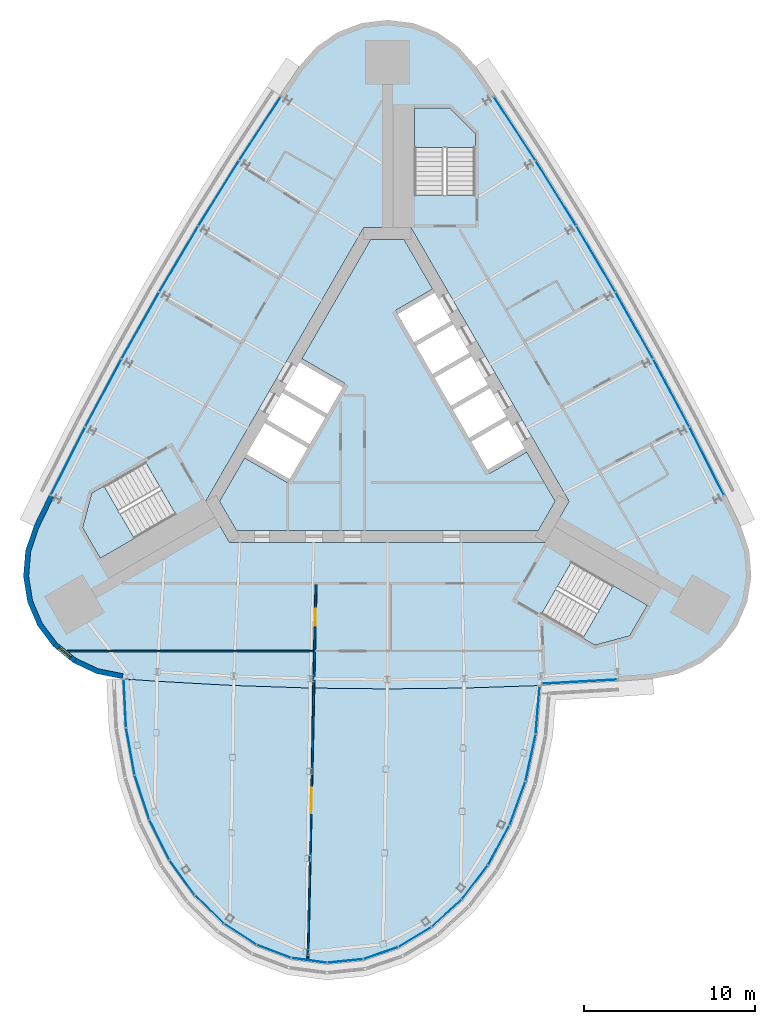
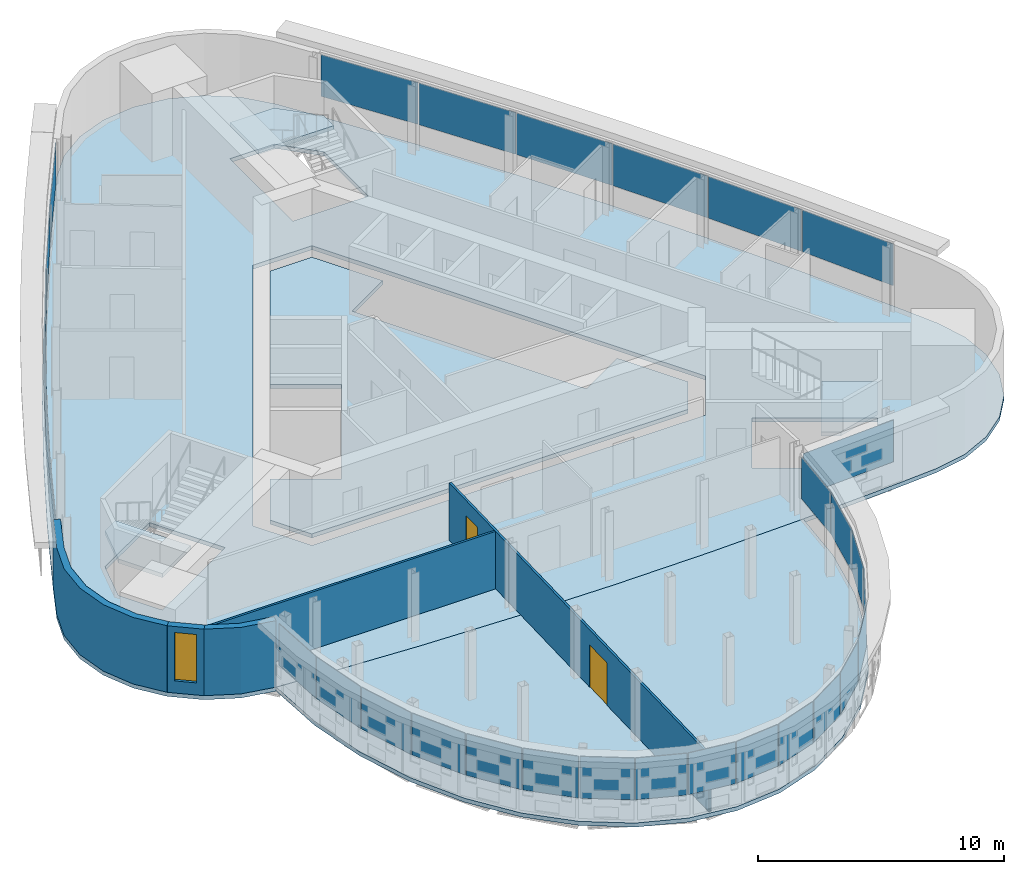
# One storey, part 8 of 14: 31 plates, 6 slabs, 5 walls, 2 doors, 1 window, 3 openings, 7 elements without a shape of their own.
"""IFC4 building model written with IfcOpenShell, lengths in metres."""

from ifc_helpers import new_model, si_unit, direction, frame, frame_2d, origin, origin_2d, place, context, subcontext, project, spatial, polyline, rectangle, outline, extrude, material, layer, layer_set, type_object, element, fill, aggregate, save


model = new_model("IFC4")

# Units and contexts
model_context = context("Model", 3, precision=1e-05, world=origin(), true_north=direction((0.0, 1.0)))
body_context = subcontext(model_context, "Body", "Model", "MODEL_VIEW")
ifc_project = project(units=[si_unit("LENGTHUNIT", "METRE"), si_unit("AREAUNIT", "SQUARE_METRE"), si_unit("VOLUMEUNIT", "CUBIC_METRE"), si_unit("PLANEANGLEUNIT", "RADIAN"), si_unit("MASSUNIT", "GRAM", prefix="KILO")], contexts=[model_context])

# Site, building, storey
site_placement = place(None, origin())
site = spatial("IfcSite", under=ifc_project, at=site_placement, CompositionType="ELEMENT")
building_placement = place(site_placement, origin())
building = spatial("IfcBuilding", under=site, at=building_placement, Name="Noor Cloister Tower", CompositionType="ELEMENT")
storey_placement = place(building_placement, frame((0.0, 0.0, 218.39990234375)))
storey = spatial("IfcBuildingStorey", under=building, at=storey_placement, Name="L56", CompositionType="ELEMENT", Elevation=218.39990234375)

# Slabs
ifc_material_1 = material(Name="Concrete C40/50", Category="concrete")
ifc_layer_1 = layer(ifc_material_1, 0.199951171875)
ifc_layer_set_1 = layer_set([ifc_layer_1], Name="Core floor slab 200 C40/50")
slab_type_1 = type_object("IfcSlabType", Name="Core floor slab 200 C40/50", PredefinedType="FLOOR", material=ifc_layer_set_1)
slab_1_placement = place(storey_placement, frame((0.0, 0.0, -0.199951171875)))
element("IfcSlab", 1, at=slab_1_placement, inside=storey, type_object=slab_type_1, Name="Core floor L56", PredefinedType="FLOOR", context=body_context, shape_type="SweptSolid", body=[
    extrude(outline(polyline([(2.643798828125, 7.877197265625), (0.9814453125, 10.75634765625), (-0.9814453125, 10.75634765625), (-4.993896484375, 3.806884765625), (-2.482421875, 2.35693359375), (-5.832275390625, -3.4453125), (-8.34375, -1.995361328125), (-9.80615234375, -4.5283203125), (-8.82470703125, -6.228271484375), (8.82470703125, -6.228271484375), (9.80615234375, -4.5283203125), (8.143798828125, -1.64892578125), (5.978759765625, -2.89892578125), (0.478759765625, 6.627197265625), (2.643798828125, 7.877197265625)])), origin(), (0.0, 0.0, 1.0), 0.199951171875),
])
ifc_material_2 = material(Name="Concrete C40/50", Category="concrete")
ifc_layer_2 = layer(ifc_material_2, 0.199951171875)
ifc_layer_set_2 = layer_set([ifc_layer_2], Name="Floor slab 200 C40/50")
slab_type_2 = type_object("IfcSlabType", Name="Floor slab 200 C40/50", PredefinedType="FLOOR", material=ifc_layer_set_2)
slab_2_placement = place(storey_placement, frame((0.0, 0.0, -0.199951171875)))
element("IfcSlab", 2, at=slab_2_placement, inside=storey, type_object=slab_type_2, Name="Floor slab L56", PredefinedType="FLOOR", context=body_context, shape_type="SweptSolid", body=[
    extrude(outline(polyline([(5.148681640625, 20.87890625), (4.1513671875, 22.012939453125), (2.91064453125, 22.874267578125), (1.499267578125, 23.412109375), (0.0, 23.5947265625), (-1.499267578125, 23.412109375), (-2.91064453125, 22.874267578125), (-4.1513671875, 22.012939453125), (-5.148681640625, 20.87890625), (-6.2822265625, 19.2041015625), (-8.744140625, 15.437255859375), (-11.122314453125, 11.6171875), (-13.415283203125, 7.745361328125), (-15.621826171875, 3.823486328125), (-17.7412109375, -0.14599609375), (-19.772216796875, -4.16162109375), (-20.65576171875, -5.98046875), (-21.139404296875, -7.411376953125), (-21.264892578125, -8.91650390625), (-21.02490234375, -10.40771484375), (-20.433837890625, -11.79736328125), (-19.52587890625, -13.00439453125), (-18.354248046875, -13.957763671875), (-16.988037109375, -14.6015625), (-15.50732421875, -14.898193359375), (-13.489990234375, -15.04248046875), (-8.9970703125, -15.291259765625), (-4.49951171875, -15.440673828125), (0.0, -15.490478515625), (4.49951171875, -15.440673828125), (8.9970703125, -15.291259765625), (13.489990234375, -15.04248046875), (15.50732421875, -14.898193359375), (16.988037109375, -14.6015625), (18.354248046875, -13.957763671875), (19.52587890625, -13.00439453125), (20.433837890625, -11.79736328125), (21.02490234375, -10.40771484375), (21.264892578125, -8.91650390625), (21.139404296875, -7.411376953125), (20.65576171875, -5.98046875), (19.772216796875, -4.16162109375), (17.7412109375, -0.14599609375), (15.621826171875, 3.823486328125), (13.415283203125, 7.745361328125), (11.122314453125, 11.6171875), (8.744140625, 15.437255859375), (6.2822265625, 19.2041015625), (5.148681640625, 20.87890625)]), holes=[polyline([(8.999755859375, -11.126220703125), (12.131591796875, -12.934326171875), (14.1572265625, -12.3916015625), (15.19091796875, -10.601318359375), (10.774658203125, -8.0517578125), (8.999755859375, -11.126220703125)]), polyline([(-17.81005859375, -6.064697265625), (-16.776611328125, -7.85498046875), (-12.3603515625, -5.305419921875), (-14.13525390625, -2.23095703125), (-16.662841796875, -3.690185546875), (-17.267333984375, -4.039306640625), (-17.81005859375, -6.064697265625)]), polyline([(-10.6142578125, -4.5283203125), (-9.228759765625, -6.92822265625), (9.228759765625, -6.92822265625), (10.6142578125, -4.5283203125), (1.3857421875, 11.456298828125), (-1.3857421875, 11.456298828125), (-10.6142578125, -4.5283203125)]), polyline([(3.65283203125, 18.456298828125), (1.585693359375, 18.456298828125), (1.585693359375, 13.35693359375), (5.135498046875, 13.35693359375), (5.135498046875, 16.9736328125), (3.65283203125, 18.456298828125)])]), origin(), (0.0, 0.0, 1.0), 0.199951171875),
])

# Curtain wall, plates
ifc_material_3 = material(Name="Aluminium 6063-T6 anodised", Category="aluminium")
curtain_wall_type_1 = type_object("IfcCurtainWallType", Name="Ribbon curtain wall, upper tower CW5", PredefinedType="NOTDEFINED", material=ifc_material_3)
curtain_wall_1_placement = place(storey_placement, origin())
curtain_wall_1 = element("IfcCurtainWall", 3, at=curtain_wall_1_placement, inside=storey, type_object=curtain_wall_type_1, Name="CW5 L56 NW run 1", PredefinedType="NOTDEFINED")
ifc_material_4 = material(Name="Clear laminated glass 2 x 8 mm", Category="glass")
ifc_layer_3 = layer(ifc_material_4, 0.028076171875)
ifc_layer_set_3 = layer_set([ifc_layer_3], Name="Glass panel CW5")
plate_type_1 = type_object("IfcPlateType", Name="Glass panel CW5", PredefinedType="CURTAIN_PANEL", material=ifc_layer_set_3)
plate_1_placement = place(storey_placement, frame((-7.438720703125, 17.251708984375, 1.08984375), z_axis=(0.0, 0.0, 1.0), x_axis=(-0.547130585813, -0.837047263939, 0.0)))
plate_1 = element("IfcPlate", 4, at=plate_1_placement, type_object=plate_type_1, Name="CW5 glass panel 1", PredefinedType="CURTAIN_PANEL", context=body_context, shape_type="SweptSolid", body=[
    extrude(rectangle(XDim=4.413818359375, YDim=0.028076171875, at=origin_2d()), origin(), (0.0, 0.0, 1.0), 2.070068359375),
])
plate_2_placement = place(storey_placement, frame((-9.848388671875, 13.474365234375, 1.08984375), z_axis=(0.0, 0.0, 1.0), x_axis=(-0.528471347381, -0.848951138168, 0.0)))
plate_2 = element("IfcPlate", 5, at=plate_2_placement, type_object=plate_type_1, Name="CW5 glass panel 2", PredefinedType="CURTAIN_PANEL", context=body_context, shape_type="SweptSolid", body=[
    extrude(rectangle(XDim=4.44775390625, YDim=0.028076171875, at=origin_2d()), origin(), (0.0, 0.0, 1.0), 2.070068359375),
])
plate_3_placement = place(storey_placement, frame((-12.1826171875, 9.630126953125, 1.08984375), z_axis=(0.0, 0.0, 1.0), x_axis=(-0.509553242025, -0.860439128319, 0.0)))
plate_3 = element("IfcPlate", 6, at=plate_3_placement, type_object=plate_type_1, Name="CW5 glass panel 3", PredefinedType="CURTAIN_PANEL", context=body_context, shape_type="SweptSolid", body=[
    extrude(rectangle(XDim=4.44775390625, YDim=0.028076171875, at=origin_2d()), origin(), (0.0, 0.0, 1.0), 2.070068359375),
])
plate_4_placement = place(storey_placement, frame((-14.431396484375, 5.7353515625, 1.08984375), z_axis=(0.0, 0.0, 1.0), x_axis=(-0.490385522521, -0.871505616334, 0.0)))
plate_4 = element("IfcPlate", 7, at=plate_4_placement, type_object=plate_type_1, Name="CW5 glass panel 4", PredefinedType="CURTAIN_PANEL", context=body_context, shape_type="SweptSolid", body=[
    extrude(rectangle(XDim=4.44775390625, YDim=0.028076171875, at=origin_2d()), origin(), (0.0, 0.0, 1.0), 2.070068359375),
])
plate_5_placement = place(storey_placement, frame((-16.59326171875, 1.791748046875, 1.08984375), z_axis=(0.0, 0.0, 1.0), x_axis=(-0.470977578535, -0.882145181088, 0.0)))
plate_5 = element("IfcPlate", 8, at=plate_5_placement, type_object=plate_type_1, Name="CW5 glass panel 5", PredefinedType="CURTAIN_PANEL", context=body_context, shape_type="SweptSolid", body=[
    extrude(rectangle(XDim=4.44775390625, YDim=0.028076171875, at=origin_2d()), origin(), (0.0, 0.0, 1.0), 2.070068359375),
])
plate_6_placement = place(storey_placement, frame((-18.659912109375, -2.183837890625, 1.08984375), z_axis=(0.0, 0.0, 1.0), x_axis=(-0.451338901833, -0.892352618471, 0.0)))
plate_6 = element("IfcPlate", 9, at=plate_6_placement, type_object=plate_type_1, Name="CW5 glass panel 6", PredefinedType="CURTAIN_PANEL", context=body_context, shape_type="SweptSolid", body=[
    extrude(rectangle(XDim=4.413818359375, YDim=0.028076171875, at=origin_2d()), origin(), (0.0, 0.0, 1.0), 2.070068359375),
])
aggregate(curtain_wall_1, [plate_1, plate_2, plate_3, plate_4, plate_5, plate_6])

# Curtain wall, plate
curtain_wall_2_placement = place(storey_placement, origin())
curtain_wall_2 = element("IfcCurtainWall", 10, at=curtain_wall_2_placement, inside=storey, type_object=curtain_wall_type_1, Name="CW5 L56 S run 3", PredefinedType="NOTDEFINED")
plate_7_placement = place(storey_placement, frame((11.238037109375, -15.067138671875, 1.08984375), z_axis=(0.0, 0.0, 1.0), x_axis=(0.998469487646, 0.055305354532, 0.0)))
plate_7 = element("IfcPlate", 11, at=plate_7_placement, type_object=plate_type_1, Name="CW5 glass panel 1", PredefinedType="CURTAIN_PANEL", context=body_context, shape_type="SweptSolid", body=[
    extrude(rectangle(XDim=4.3798828125, YDim=0.028076171875, at=origin_2d()), origin(), (0.0, 0.0, 1.0), 2.070068359375),
])
aggregate(curtain_wall_2, [plate_7])

# Curtain wall, plates
curtain_wall_3_placement = place(storey_placement, origin())
curtain_wall_3 = element("IfcCurtainWall", 12, at=curtain_wall_3_placement, inside=storey, type_object=curtain_wall_type_1, Name="CW5 L56 NE run 4", PredefinedType="NOTDEFINED")
plate_8_placement = place(storey_placement, frame((18.659912109375, -2.183837890625, 1.08984375), z_axis=(0.0, 0.0, 1.0), x_axis=(-0.451338901833, 0.892352618471, 0.0)))
plate_8 = element("IfcPlate", 13, at=plate_8_placement, type_object=plate_type_1, Name="CW5 glass panel 1", PredefinedType="CURTAIN_PANEL", context=body_context, shape_type="SweptSolid", body=[
    extrude(rectangle(XDim=4.413818359375, YDim=0.028076171875, at=origin_2d()), origin(), (0.0, 0.0, 1.0), 2.070068359375),
])
plate_9_placement = place(storey_placement, frame((16.59326171875, 1.791748046875, 1.08984375), z_axis=(0.0, 0.0, 1.0), x_axis=(-0.470977578535, 0.882145181088, 0.0)))
plate_9 = element("IfcPlate", 14, at=plate_9_placement, type_object=plate_type_1, Name="CW5 glass panel 2", PredefinedType="CURTAIN_PANEL", context=body_context, shape_type="SweptSolid", body=[
    extrude(rectangle(XDim=4.44775390625, YDim=0.028076171875, at=origin_2d()), origin(), (0.0, 0.0, 1.0), 2.070068359375),
])
plate_10_placement = place(storey_placement, frame((14.431396484375, 5.7353515625, 1.08984375), z_axis=(0.0, 0.0, 1.0), x_axis=(-0.490385522521, 0.871505616334, 0.0)))
plate_10 = element("IfcPlate", 15, at=plate_10_placement, type_object=plate_type_1, Name="CW5 glass panel 3", PredefinedType="CURTAIN_PANEL", context=body_context, shape_type="SweptSolid", body=[
    extrude(rectangle(XDim=4.44775390625, YDim=0.028076171875, at=origin_2d()), origin(), (0.0, 0.0, 1.0), 2.070068359375),
])
plate_11_placement = place(storey_placement, frame((12.1826171875, 9.630126953125, 1.08984375), z_axis=(0.0, 0.0, 1.0), x_axis=(-0.509553242025, 0.860439128319, 0.0)))
plate_11 = element("IfcPlate", 16, at=plate_11_placement, type_object=plate_type_1, Name="CW5 glass panel 4", PredefinedType="CURTAIN_PANEL", context=body_context, shape_type="SweptSolid", body=[
    extrude(rectangle(XDim=4.44775390625, YDim=0.028076171875, at=origin_2d()), origin(), (0.0, 0.0, 1.0), 2.070068359375),
])
plate_12_placement = place(storey_placement, frame((9.848388671875, 13.474365234375, 1.08984375), z_axis=(0.0, 0.0, 1.0), x_axis=(-0.528471347381, 0.848951138168, 0.0)))
plate_12 = element("IfcPlate", 17, at=plate_12_placement, type_object=plate_type_1, Name="CW5 glass panel 5", PredefinedType="CURTAIN_PANEL", context=body_context, shape_type="SweptSolid", body=[
    extrude(rectangle(XDim=4.44775390625, YDim=0.028076171875, at=origin_2d()), origin(), (0.0, 0.0, 1.0), 2.070068359375),
])
plate_13_placement = place(storey_placement, frame((7.438720703125, 17.251708984375, 1.08984375), z_axis=(0.0, 0.0, 1.0), x_axis=(-0.547130585813, 0.837047263939, 0.0)))
plate_13 = element("IfcPlate", 18, at=plate_13_placement, type_object=plate_type_1, Name="CW5 glass panel 6", PredefinedType="CURTAIN_PANEL", context=body_context, shape_type="SweptSolid", body=[
    extrude(rectangle(XDim=4.413818359375, YDim=0.028076171875, at=origin_2d()), origin(), (0.0, 0.0, 1.0), 2.070068359375),
])
aggregate(curtain_wall_3, [plate_8, plate_9, plate_10, plate_11, plate_12, plate_13])

ifc_material_5 = material(Name="Aluminium 6063-T6 anodised", Category="aluminium")
curtain_wall_type_2 = type_object("IfcCurtainWallType", Name="Sky bar curtain wall, upper bars CW6", PredefinedType="NOTDEFINED", material=ifc_material_5)
curtain_wall_4_placement = place(storey_placement, origin())
curtain_wall_4 = element("IfcCurtainWall", 19, at=curtain_wall_4_placement, inside=storey, type_object=curtain_wall_type_2, Name="CW6 L56 S sky bar run 2", PredefinedType="NOTDEFINED")
ifc_material_6 = material(Name="Clear laminated glass 2 x 8 mm", Category="glass")
ifc_layer_4 = layer(ifc_material_6, 0.028076171875)
ifc_layer_set_4 = layer_set([ifc_layer_4], Name="Glass panel CW6")
plate_type_2 = type_object("IfcPlateType", Name="Glass panel CW6", PredefinedType="CURTAIN_PANEL", material=ifc_layer_set_4)
plate_14_placement = place(storey_placement, frame((-15.336669921875, -16.34130859375, 1.08984375), z_axis=(0.0, 0.0, 1.0), x_axis=(0.048822714606, -0.998807460194, 0.0)))
plate_14 = element("IfcPlate", 20, at=plate_14_placement, type_object=plate_type_2, Name="CW6 glass panel 1", PredefinedType="CURTAIN_PANEL", context=body_context, shape_type="SweptSolid", body=[
    extrude(rectangle(XDim=2.779541015625, YDim=0.028076171875, at=origin_2d()), origin(), (0.0, 0.0, 1.0), 2.070068359375),
])
plate_15_placement = place(storey_placement, frame((-15.0146484375, -19.141357421875, 1.08984375), z_axis=(0.0, 0.0, 1.0), x_axis=(0.17940983055, -0.983774421655, 0.0)))
plate_15 = element("IfcPlate", 21, at=plate_15_placement, type_object=plate_type_2, Name="CW6 glass panel 2", PredefinedType="CURTAIN_PANEL", context=body_context, shape_type="SweptSolid", body=[
    extrude(rectangle(XDim=2.76904296875, YDim=0.028076171875, at=origin_2d()), origin(), (0.0, 0.0, 1.0), 2.070068359375),
])
plate_16_placement = place(storey_placement, frame((-14.33349609375, -21.831787109375, 1.08984375), z_axis=(0.0, 0.0, 1.0), x_axis=(0.312038400658, -0.950069490361, 0.0)))
plate_16 = element("IfcPlate", 22, at=plate_16_placement, type_object=plate_type_2, Name="CW6 glass panel 3", PredefinedType="CURTAIN_PANEL", context=body_context, shape_type="SweptSolid", body=[
    extrude(rectangle(XDim=2.694091796875, YDim=0.028076171875, at=origin_2d()), origin(), (0.0, 0.0, 1.0), 2.070068359375),
])
plate_17_placement = place(storey_placement, frame((-13.315185546875, -24.316162109375, 1.08984375), z_axis=(0.0, 0.0, 1.0), x_axis=(0.447069484566, -0.894499231956, 0.0)))
plate_17 = element("IfcPlate", 23, at=plate_17_placement, type_object=plate_type_2, Name="CW6 glass panel 4", PredefinedType="CURTAIN_PANEL", context=body_context, shape_type="SweptSolid", body=[
    extrude(rectangle(XDim=2.590087890625, YDim=0.028076171875, at=origin_2d()), origin(), (0.0, 0.0, 1.0), 2.070068359375),
])
plate_18_placement = place(storey_placement, frame((-11.9912109375, -26.51904296875, 1.08984375), z_axis=(0.0, 0.0, 1.0), x_axis=(0.583263432712, -0.812283059076, 0.0)))
plate_18 = element("IfcPlate", 24, at=plate_18_placement, type_object=plate_type_2, Name="CW6 glass panel 5", PredefinedType="CURTAIN_PANEL", context=body_context, shape_type="SweptSolid", body=[
    extrude(rectangle(XDim=2.466064453125, YDim=0.028076171875, at=origin_2d()), origin(), (0.0, 0.0, 1.0), 2.070068359375),
])
plate_19_placement = place(storey_placement, frame((-10.40234375, -28.373291015625, 1.08984375), z_axis=(0.0, 0.0, 1.0), x_axis=(0.716495314317, -0.697591904025, 0.0)))
plate_19 = element("IfcPlate", 25, at=plate_19_placement, type_object=plate_type_2, Name="CW6 glass panel 6", PredefinedType="CURTAIN_PANEL", context=body_context, shape_type="SweptSolid", body=[
    extrude(rectangle(XDim=2.3359375, YDim=0.028076171875, at=origin_2d()), origin(), (0.0, 0.0, 1.0), 2.070068359375),
])
plate_20_placement = place(storey_placement, frame((-8.59814453125, -29.8232421875, 1.08984375), z_axis=(0.0, 0.0, 1.0), x_axis=(0.838255798572, -0.545277192041, 0.0)))
plate_20 = element("IfcPlate", 26, at=plate_20_placement, type_object=plate_type_2, Name="CW6 glass panel 7", PredefinedType="CURTAIN_PANEL", context=body_context, shape_type="SweptSolid", body=[
    extrude(rectangle(XDim=2.21484375, YDim=0.028076171875, at=origin_2d()), origin(), (0.0, 0.0, 1.0), 2.070068359375),
])
plate_21_placement = place(storey_placement, frame((-6.6337890625, -30.825439453125, 1.08984375), z_axis=(0.0, 0.0, 1.0), x_axis=(0.935082379451, -0.354430449651, 0.0)))
plate_21 = element("IfcPlate", 27, at=plate_21_placement, type_object=plate_type_2, Name="CW6 glass panel 8", PredefinedType="CURTAIN_PANEL", context=body_context, shape_type="SweptSolid", body=[
    extrude(rectangle(XDim=2.12060546875, YDim=0.028076171875, at=origin_2d()), origin(), (0.0, 0.0, 1.0), 2.070068359375),
])
plate_22_placement = place(storey_placement, frame((-4.568359375, -31.35107421875, 1.08984375), z_axis=(0.0, 0.0, 1.0), x_axis=(0.991127949821, -0.132911199993, 0.0)))
plate_22 = element("IfcPlate", 28, at=plate_22_placement, type_object=plate_type_2, Name="CW6 glass panel 9", PredefinedType="CURTAIN_PANEL", context=body_context, shape_type="SweptSolid", body=[
    extrude(rectangle(XDim=2.06884765625, YDim=0.028076171875, at=origin_2d()), origin(), (0.0, 0.0, 1.0), 2.070068359375),
])
plate_23_placement = place(storey_placement, frame((-2.4638671875, -31.385009765625, 1.08984375), z_axis=(0.0, 0.0, 1.0), x_axis=(0.994881086268, 0.101052581298, 0.0)))
plate_23 = element("IfcPlate", 29, at=plate_23_placement, type_object=plate_type_2, Name="CW6 glass panel 10", PredefinedType="CURTAIN_PANEL", context=body_context, shape_type="SweptSolid", body=[
    extrude(rectangle(XDim=2.06884765625, YDim=0.028076171875, at=origin_2d()), origin(), (0.0, 0.0, 1.0), 2.070068359375),
])
plate_24_placement = place(storey_placement, frame((-0.3828125, -30.92578125, 1.08984375), z_axis=(0.0, 0.0, 1.0), x_axis=(0.945969538875, 0.324255503454, 0.0)))
plate_24 = element("IfcPlate", 30, at=plate_24_placement, type_object=plate_type_2, Name="CW6 glass panel 11", PredefinedType="CURTAIN_PANEL", context=body_context, shape_type="SweptSolid", body=[
    extrude(rectangle(XDim=2.12060546875, YDim=0.028076171875, at=origin_2d()), origin(), (0.0, 0.0, 1.0), 2.070068359375),
])
plate_25_placement = place(storey_placement, frame((1.61279296875, -29.987060546875, 1.08984375), z_axis=(0.0, 0.0, 1.0), x_axis=(0.855314149402, 0.518109743039, 0.0)))
plate_25 = element("IfcPlate", 31, at=plate_25_placement, type_object=plate_type_2, Name="CW6 glass panel 12", PredefinedType="CURTAIN_PANEL", context=body_context, shape_type="SweptSolid", body=[
    extrude(rectangle(XDim=2.21484375, YDim=0.028076171875, at=origin_2d()), origin(), (0.0, 0.0, 1.0), 2.070068359375),
])
plate_26_placement = place(storey_placement, frame((3.462646484375, -28.595703125, 1.08984375), z_axis=(0.0, 0.0, 1.0), x_axis=(0.738501778547, 0.674251528054, 0.0)))
plate_26 = element("IfcPlate", 32, at=plate_26_placement, type_object=plate_type_2, Name="CW6 glass panel 13", PredefinedType="CURTAIN_PANEL", context=body_context, shape_type="SweptSolid", body=[
    extrude(rectangle(XDim=2.3359375, YDim=0.028076171875, at=origin_2d()), origin(), (0.0, 0.0, 1.0), 2.070068359375),
])
plate_27_placement = place(storey_placement, frame((5.110107421875, -26.79345703125, 1.08984375), z_axis=(0.0, 0.0, 1.0), x_axis=(0.609017158435, 0.793157046701, 0.0)))
plate_27 = element("IfcPlate", 33, at=plate_27_placement, type_object=plate_type_2, Name="CW6 glass panel 14", PredefinedType="CURTAIN_PANEL", context=body_context, shape_type="SweptSolid", body=[
    extrude(rectangle(XDim=2.466064453125, YDim=0.028076171875, at=origin_2d()), origin(), (0.0, 0.0, 1.0), 2.070068359375),
])
plate_28_placement = place(storey_placement, frame((6.504150390625, -24.634033203125, 1.08984375), z_axis=(0.0, 0.0, 1.0), x_axis=(0.475530339564, 0.879699321447, 0.0)))
plate_28 = element("IfcPlate", 34, at=plate_28_placement, type_object=plate_type_2, Name="CW6 glass panel 15", PredefinedType="CURTAIN_PANEL", context=body_context, shape_type="SweptSolid", body=[
    extrude(rectangle(XDim=2.590087890625, YDim=0.028076171875, at=origin_2d()), origin(), (0.0, 0.0, 1.0), 2.070068359375),
])
plate_29_placement = place(storey_placement, frame((7.6015625, -22.18359375, 1.08984375), z_axis=(0.0, 0.0, 1.0), x_axis=(0.342351138036, 0.939572082538, 0.0)))
plate_29 = element("IfcPlate", 35, at=plate_29_placement, type_object=plate_type_2, Name="CW6 glass panel 16", PredefinedType="CURTAIN_PANEL", context=body_context, shape_type="SweptSolid", body=[
    extrude(rectangle(XDim=2.694091796875, YDim=0.028076171875, at=origin_2d()), origin(), (0.0, 0.0, 1.0), 2.070068359375),
])
plate_30_placement = place(storey_placement, frame((8.36865234375, -19.516357421875, 1.08984375), z_axis=(0.0, 0.0, 1.0), x_axis=(0.210871888122, 0.977513706707, 0.0)))
plate_30 = element("IfcPlate", 36, at=plate_30_placement, type_object=plate_type_2, Name="CW6 glass panel 17", PredefinedType="CURTAIN_PANEL", context=body_context, shape_type="SweptSolid", body=[
    extrude(rectangle(XDim=2.76904296875, YDim=0.028076171875, at=origin_2d()), origin(), (0.0, 0.0, 1.0), 2.070068359375),
])
plate_31_placement = place(storey_placement, frame((8.7802734375, -16.728271484375, 1.08984375), z_axis=(0.0, 0.0, 1.0), x_axis=(0.080834144736, 0.996727566111, 0.0)))
plate_31 = element("IfcPlate", 37, at=plate_31_placement, type_object=plate_type_2, Name="CW6 glass panel 18", PredefinedType="CURTAIN_PANEL", context=body_context, shape_type="SweptSolid", body=[
    extrude(rectangle(XDim=2.779541015625, YDim=0.028076171875, at=origin_2d()), origin(), (0.0, 0.0, 1.0), 2.070068359375),
])
aggregate(curtain_wall_4, [plate_14, plate_15, plate_16, plate_17, plate_18, plate_19, plate_20, plate_21, plate_22, plate_23, plate_24, plate_25, plate_26, plate_27, plate_28, plate_29, plate_30, plate_31])

# Slab
ifc_material_7 = material(Name="Concrete C40/50", Category="concrete")
ifc_layer_5 = layer(ifc_material_7, 0.199951171875)
ifc_layer_set_5 = layer_set([ifc_layer_5], Name="Pod floor slab 200")
slab_type_3 = type_object("IfcSlabType", Name="Pod floor slab 200", PredefinedType="FLOOR", material=ifc_layer_set_5)
slab_3_placement = place(storey_placement, frame((0.0, 0.0, -0.199951171875)))
element("IfcSlab", 38, at=slab_3_placement, inside=storey, type_object=slab_type_3, Name="Pod floor slab L56", PredefinedType="FLOOR", context=body_context, shape_type="SweptSolid", body=[
    extrude(outline(polyline([(-15.50732421875, -14.898193359375), (-15.366943359375, -17.76611328125), (-14.85888671875, -20.552734375), (-13.998046875, -23.173583984375), (-12.810791015625, -25.548828125), (-11.333251953125, -27.6064453125), (-9.6103515625, -29.2841796875), (-7.6943359375, -30.530517578125), (-5.643310546875, -31.307861328125), (-3.519775390625, -31.5927734375), (-1.38818359375, -31.376220703125), (0.686767578125, -30.6650390625), (2.641845703125, -29.480712890625), (4.417724609375, -27.859130859375), (5.96044921875, -25.85009765625), (7.22314453125, -23.513916015625), (8.167724609375, -20.922119140625), (8.764892578125, -18.153076171875), (8.9970703125, -15.291259765625), (4.49951171875, -15.440673828125), (0.0, -15.490478515625), (-4.49951171875, -15.440673828125), (-8.9970703125, -15.291259765625), (-13.489990234375, -15.04248046875), (-15.50732421875, -14.898193359375)])), origin(), (0.0, 0.0, 1.0), 0.199951171875),
])

# Stair, slab
ifc_material_8 = material(Name="Concrete C40/50", Category="concrete")
stair_type = type_object("IfcStairType", Name="Exit stair 22 risers", PredefinedType="HALF_TURN_STAIR", material=ifc_material_8)
stair_1_placement = place(storey_placement, origin())
stair_1 = element("IfcStair", 39, at=stair_1_placement, inside=storey, type_object=stair_type, Name="Exit stair ST1 L56", PredefinedType="HALF_TURN_STAIR")
ifc_material_9 = material(Name="Concrete C40/50", Category="concrete")
ifc_layer_6 = layer(ifc_material_9, 0.199951171875)
ifc_layer_set_6 = layer_set([ifc_layer_6], Name="Stair landing 200 C40/50")
slab_type_4 = type_object("IfcSlabType", Name="Stair landing 200 C40/50", PredefinedType="LANDING", material=ifc_layer_set_6)
slab_4_placement = place(storey_placement, frame((0.0, 0.0, 1.60009765625)))
slab_4 = element("IfcSlab", 40, at=slab_4_placement, type_object=slab_type_4, Name="ST1 landing 1", PredefinedType="LANDING", context=body_context, shape_type="SweptSolid", body=[
    extrude(outline(polyline([(5.135498046875, 16.15576171875), (5.135498046875, 16.9736328125), (3.65283203125, 18.456298828125), (1.585693359375, 18.456298828125), (1.585693359375, 16.15576171875), (5.135498046875, 16.15576171875)])), origin(), (0.0, 0.0, 1.0), 0.199951171875),
])
aggregate(stair_1, [slab_4])

stair_2_placement = place(storey_placement, origin())
stair_2 = element("IfcStair", 41, at=stair_2_placement, inside=storey, type_object=stair_type, Name="Exit stair ST2 L56", PredefinedType="HALF_TURN_STAIR")
slab_5_placement = place(storey_placement, frame((0.0, 0.0, 1.60009765625)))
slab_5 = element("IfcSlab", 42, at=slab_5_placement, type_object=slab_type_4, Name="ST2 landing 1", PredefinedType="LANDING", context=body_context, shape_type="SweptSolid", body=[
    extrude(outline(polyline([(-16.55908203125, -3.63037109375), (-17.267333984375, -4.039306640625), (-17.81005859375, -6.064697265625), (-16.776611328125, -7.85498046875), (-14.7841796875, -6.70458984375), (-16.55908203125, -3.63037109375)])), origin(), (0.0, 0.0, 1.0), 0.199951171875),
])
aggregate(stair_2, [slab_5])

stair_3_placement = place(storey_placement, origin())
stair_3 = element("IfcStair", 43, at=stair_3_placement, inside=storey, type_object=stair_type, Name="Exit stair ST3 L56", PredefinedType="HALF_TURN_STAIR")
slab_6_placement = place(storey_placement, frame((0.0, 0.0, 1.60009765625)))
slab_6 = element("IfcSlab", 44, at=slab_6_placement, type_object=slab_type_4, Name="ST3 landing 1", PredefinedType="LANDING", context=body_context, shape_type="SweptSolid", body=[
    extrude(outline(polyline([(11.423583984375, -12.525390625), (12.131591796875, -12.934326171875), (14.1572265625, -12.3916015625), (15.19091796875, -10.601318359375), (13.198486328125, -9.451171875), (11.423583984375, -12.525390625)])), origin(), (0.0, 0.0, 1.0), 0.199951171875),
])
aggregate(stair_3, [slab_6])

# Wall
ifc_material_10 = material(Name="Limestone", Category="masonry")
ifc_layer_7 = layer(ifc_material_10, 0.300048828125)
ifc_layer_set_7 = layer_set([ifc_layer_7], Name="Limestone cladding 300")
wall_type_1 = type_object("IfcWallType", Name="Limestone cladding 300", PredefinedType="NOTDEFINED", material=ifc_layer_set_7)
wall_1_placement = place(storey_placement, origin())
element("IfcWall", 45, at=wall_1_placement, inside=storey, type_object=wall_type_1, Name="Limestone pier cladding L56 1.1", PredefinedType="NOTDEFINED", context=body_context, shape_type="SweptSolid", body=[
    extrude(outline(polyline([(-19.772216796875, -4.16162109375), (-20.65576171875, -5.98046875), (-21.139404296875, -7.411376953125), (-21.264892578125, -8.91650390625), (-21.02490234375, -10.40771484375), (-20.433837890625, -11.79736328125), (-19.52587890625, -13.00439453125), (-19.2861328125, -12.823974609375), (-20.171875, -11.646240234375), (-20.734619140625, -10.323974609375), (-20.962890625, -8.905029296875), (-20.843505859375, -7.47265625), (-20.377685546875, -6.094482421875), (-19.50244140625, -4.292724609375), (-19.772216796875, -4.16162109375)])), origin(), (0.0, 0.0, 1.0), 3.300048828125),
])

# Wall, opening, window
wall_2_placement = place(storey_placement, frame((-18.26123046875, -13.840087890625, 0.0), z_axis=(0.0, 0.0, 1.0), x_axis=(-0.775543549468, 0.631294070048, 0.0)))
wall_2 = element("IfcWall", 46, at=wall_2_placement, inside=storey, type_object=wall_type_1, Name="Limestone pier wall L56 1.2", PredefinedType="NOTDEFINED", context=body_context, shape_type="SweptSolid", body=[
    extrude(rectangle(XDim=1.50634765625, YDim=0.300048828125, at=frame_2d((0.753173828125, 0.0))), origin(), (0.0, 0.0, 1.0), 3.300048828125),
])
opening_1_placement = place(wall_2_placement, frame((0.30322265625, 0.0, 0.60009765625)))
opening_1 = element("IfcOpeningElement", 47, at=opening_1_placement, cuts=wall_2, Name="Opening L56-C01", PredefinedType="OPENING", context=body_context, shape_type="SweptSolid", body=[
    extrude(rectangle(XDim=0.89990234375, YDim=2.39990234375, at=frame_2d((0.449951171875, 1.199951171875))), frame((0.0, 0.16015625, 0.0), z_axis=(0.0, -1.0, 0.0), x_axis=(1.0, 0.0, 0.0)), (0.0, 0.0, 1.0), 0.320068359375),
])
ifc_material_11 = material(Name="Aluminium 6063-T6 anodised", Category="aluminium")
window_type = type_object("IfcWindowType", Name="Corner lancet window 900 x 2400", PartitioningType="SINGLE_PANEL", PredefinedType="WINDOW", material=ifc_material_11)
window_placement = place(opening_1_placement, origin())
window = element("IfcWindow", 48, at=window_placement, inside=storey, type_object=window_type, Name="Corner window L56 1", OverallHeight=2.39990234375, OverallWidth=0.89990234375, PartitioningType="SINGLE_PANEL", PredefinedType="WINDOW", context=body_context, shape_type="SweptSolid", body=[
    extrude(rectangle(XDim=0.89990234375, YDim=2.39990234375, at=frame_2d((0.449951171875, 1.199951171875))), frame((0.0, 0.030029296875, 0.0), z_axis=(0.0, -1.0, 0.0), x_axis=(1.0, 0.0, 0.0)), (0.0, 0.0, 1.0), 0.06005859375),
])
fill(opening_1, window)

# Wall
wall_3_placement = place(storey_placement, origin())
element("IfcWall", 49, at=wall_3_placement, inside=storey, type_object=wall_type_1, Name="Limestone pier cladding L56 1.3", PredefinedType="NOTDEFINED", context=body_context, shape_type="SweptSolid", body=[
    extrude(outline(polyline([(-18.354248046875, -13.957763671875), (-16.988037109375, -14.6015625), (-15.50732421875, -14.898193359375), (-15.4482421875, -14.60400390625), (-16.893310546875, -14.314697265625), (-18.2265625, -13.686279296875), (-18.354248046875, -13.957763671875)])), origin(), (0.0, 0.0, 1.0), 3.300048828125),
])

# Wall, openings, doors
ifc_material_12 = material(Name="Gypsum board partition on steel studs, 100 mm", Category="steel")
ifc_layer_8 = layer(ifc_material_12, 0.10009765625)
ifc_layer_set_8 = layer_set([ifc_layer_8], Name="Partition 100")
wall_type_2 = type_object("IfcWallType", Name="Partition 100", PredefinedType="PARTITIONING", material=ifc_layer_set_8)
wall_4_placement = place(storey_placement, frame((-4.166015625, -9.4033203125, 0.0), z_axis=(0.0, 0.0, 1.0), x_axis=(-0.022131761569, -0.999755062568, 0.0)))
wall_4 = element("IfcWall", 50, at=wall_4_placement, inside=storey, type_object=wall_type_2, Name="Wall L56-W13", PredefinedType="PARTITIONING", context=body_context, shape_type="SweptSolid", body=[
    extrude(rectangle(XDim=21.9521484375, YDim=0.10009765625, at=frame_2d((10.97607421875, 0.0))), origin(), (0.0, 0.0, 1.0), 2.84716796875),
])
opening_2_placement = place(wall_4_placement, frame((1.402587890625, 0.0, 0.0)))
opening_2 = element("IfcOpeningElement", 51, at=opening_2_placement, cuts=wall_4, Name="Opening L56-008", PredefinedType="OPENING", context=body_context, shape_type="SweptSolid", body=[
    extrude(rectangle(XDim=1.0, YDim=2.10009765625, at=frame_2d((0.5, 1.050048828125))), frame((0.0, 0.06005859375, 0.0), z_axis=(0.0, -1.0, 0.0), x_axis=(1.0, 0.0, 0.0)), (0.0, 0.0, 1.0), 0.1201171875),
])
opening_3_placement = place(wall_4_placement, frame((11.859375, 0.0, 0.0)))
opening_3 = element("IfcOpeningElement", 52, at=opening_3_placement, cuts=wall_4, Name="Opening L56-009", PredefinedType="OPENING", context=body_context, shape_type="SweptSolid", body=[
    extrude(rectangle(XDim=1.5, YDim=2.10009765625, at=frame_2d((0.75, 1.050048828125))), frame((0.0, 0.06005859375, 0.0), z_axis=(0.0, -1.0, 0.0), x_axis=(1.0, 0.0, 0.0)), (0.0, 0.0, 1.0), 0.1201171875),
])
ifc_material_13 = material(Name="Timber door leaf with steel frame", Category="steel")
door_type_1 = type_object("IfcDoorType", Name="Double door 1500", OperationType="NOTDEFINED", PredefinedType="DOOR", material=ifc_material_13)
door_1_placement = place(opening_3_placement, origin())
door_1 = element("IfcDoor", 53, at=door_1_placement, inside=storey, type_object=door_type_1, Name="Door L56-009", OperationType="DOUBLE_DOOR_SINGLE_SWING", OverallHeight=2.10009765625, OverallWidth=1.5, PredefinedType="DOOR", context=body_context, shape_type="SweptSolid", body=[
    extrude(rectangle(XDim=1.5, YDim=2.10009765625, at=frame_2d((0.75, 1.050048828125))), frame((0.0, 0.02490234375, 0.0), z_axis=(0.0, -1.0, 0.0), x_axis=(1.0, 0.0, 0.0)), (0.0, 0.0, 1.0), 0.050048828125),
])
fill(opening_3, door_1)
ifc_material_14 = material(Name="Timber door leaf with steel frame", Category="steel")
door_type_2 = type_object("IfcDoorType", Name="Interior door 1000", OperationType="NOTDEFINED", PredefinedType="DOOR", material=ifc_material_14)
door_2_placement = place(opening_2_placement, origin())
door_2 = element("IfcDoor", 54, at=door_2_placement, inside=storey, type_object=door_type_2, Name="Door L56-008", OperationType="SINGLE_SWING_RIGHT", OverallHeight=2.10009765625, OverallWidth=1.0, PredefinedType="DOOR", context=body_context, shape_type="SweptSolid", body=[
    extrude(rectangle(XDim=1.0, YDim=2.10009765625, at=frame_2d((0.5, 1.050048828125))), frame((0.0, 0.02490234375, 0.0), z_axis=(0.0, -1.0, 0.0), x_axis=(1.0, 0.0, 0.0)), (0.0, 0.0, 1.0), 0.050048828125),
])
fill(opening_2, door_2)

# Wall
wall_5_placement = place(storey_placement, frame((-18.708740234375, -13.282470703125, 0.0), z_axis=(0.0, 0.0, 1.0), x_axis=(1.0, 0.0, 0.0)))
element("IfcWall", 55, at=wall_5_placement, inside=storey, type_object=wall_type_2, Name="Wall L56-W15", PredefinedType="PARTITIONING", context=body_context, shape_type="SweptSolid", body=[
    extrude(rectangle(XDim=14.406982421875, YDim=0.10009765625, at=frame_2d((7.20361328125, 0.0))), origin(), (0.0, 0.0, 1.0), 2.85205078125),
])

save(model, "model.ifc")
